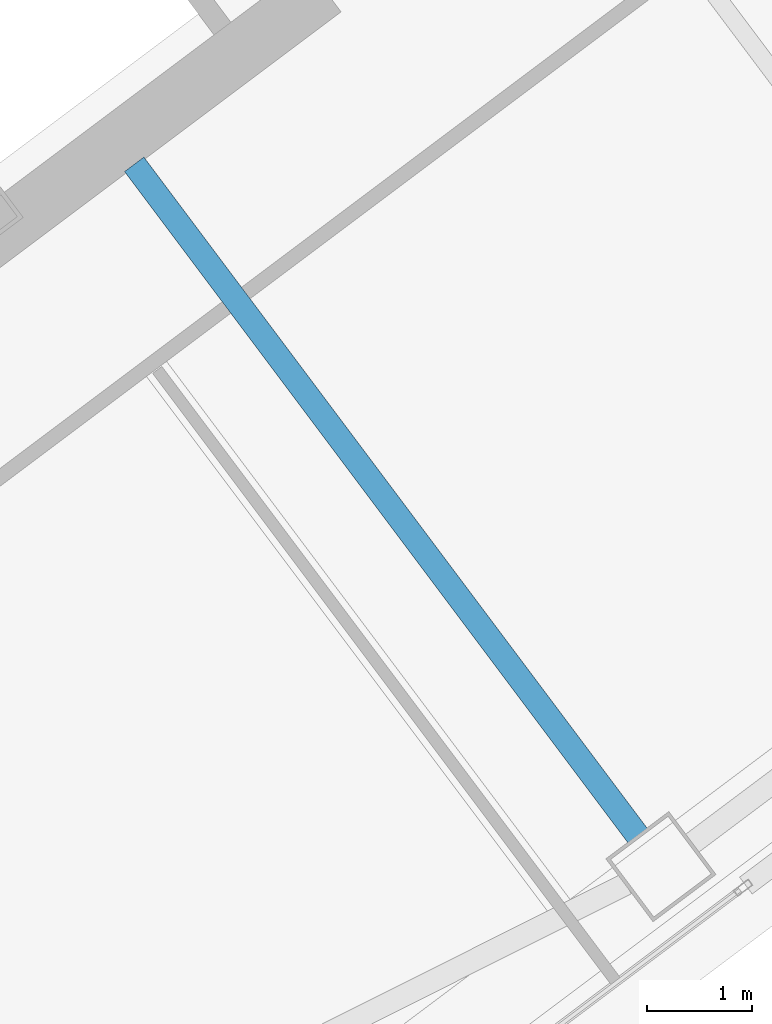
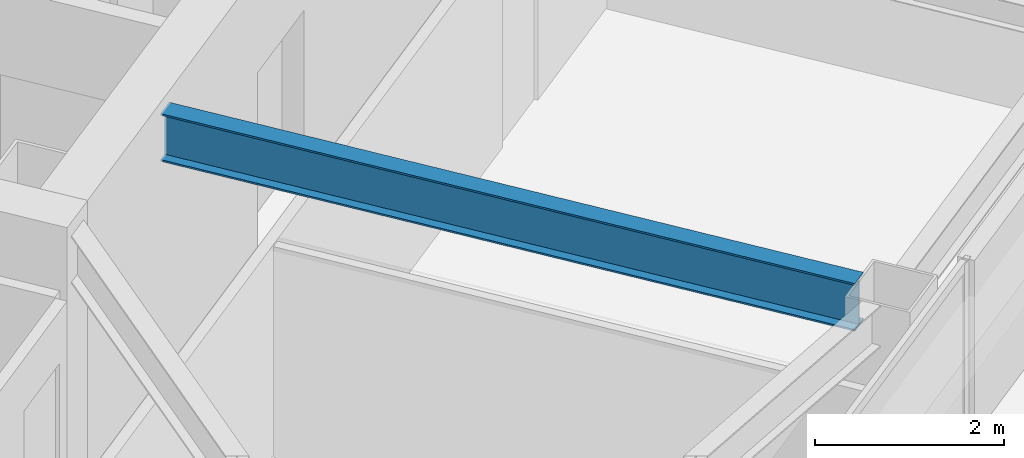
# One storey, part 20 of 41: 1 beam.
"""IFC4 building model written with IfcOpenShell, lengths in metres."""

from ifc_helpers import new_model, si_unit, direction, frame, origin, origin_2d, place, context, subcontext, project, spatial, i_section, extrude, material, material_profile, profile_set, type_object, element, save


model = new_model("IFC4")

# Units and contexts
model_context = context("Model", 3, precision=1e-05, world=origin(), true_north=direction((0.0, 1.0)))
body_context = subcontext(model_context, "Body", "Model", "MODEL_VIEW")
ifc_project = project(units=[si_unit("LENGTHUNIT", "METRE"), si_unit("AREAUNIT", "SQUARE_METRE"), si_unit("VOLUMEUNIT", "CUBIC_METRE"), si_unit("PLANEANGLEUNIT", "RADIAN"), si_unit("MASSUNIT", "GRAM", prefix="KILO")], contexts=[model_context])

# Site, building, storey
site_placement = place(None, origin())
site = spatial("IfcSite", under=ifc_project, at=site_placement, CompositionType="ELEMENT")
building_placement = place(site_placement, origin())
building = spatial("IfcBuilding", under=site, at=building_placement, Name="Tashvorn Skyway Center", CompositionType="ELEMENT")
storey_placement = place(building_placement, frame((0.0, 0.0, 192.5)))
storey = spatial("IfcBuildingStorey", under=building, at=storey_placement, Name="L52", CompositionType="ELEMENT", Elevation=192.5)

# Beam
ifc_material = material(Name="Steel ASTM A992 Grade 50", Category="steel")
ifc_material_profile = material_profile(ifc_material, i_section(OverallWidth=0.22998046875, OverallDepth=0.616943359375, WebThickness=0.01318359375, FlangeThickness=0.022216796875, at=origin_2d()), Name="W24X94")
ifc_profile_set = profile_set([ifc_material_profile], Name="Steel ASTM A992 Grade 50")
beam_type = type_object("IfcBeamType", Name="BM-BEAM-W24X94", PredefinedType="BEAM", material=ifc_profile_set)
beam_placement = place(storey_placement, frame((119.14794921875, 16.135986328125, 3.0615234375), z_axis=(-0.60000976564, 0.799992675677, 0.0), x_axis=(-0.799992675677, -0.60000976564, 0.0)))
element("IfcBeam", 1, at=beam_placement, inside=storey, type_object=beam_type, Name="Tower 2 L52 Primary Floor Girder FC-S1", PredefinedType="BEAM", context=body_context, shape_type="SweptSolid", body=[
    extrude(i_section(OverallWidth=0.22998046875, OverallDepth=0.616943359375, WebThickness=0.01318359375, FlangeThickness=0.022216796875, at=origin_2d()), origin(), (0.0, 0.0, 1.0), 8.0),
])

save(model, "model.ifc")
